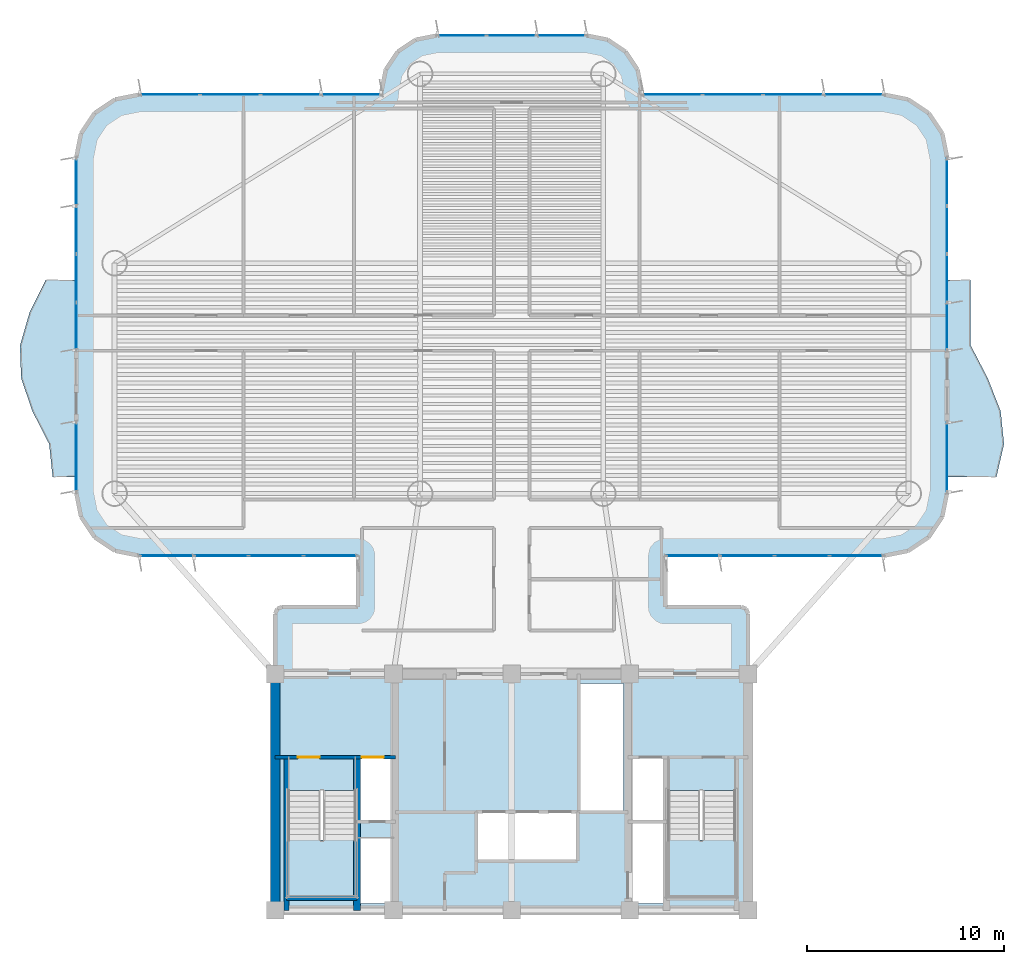
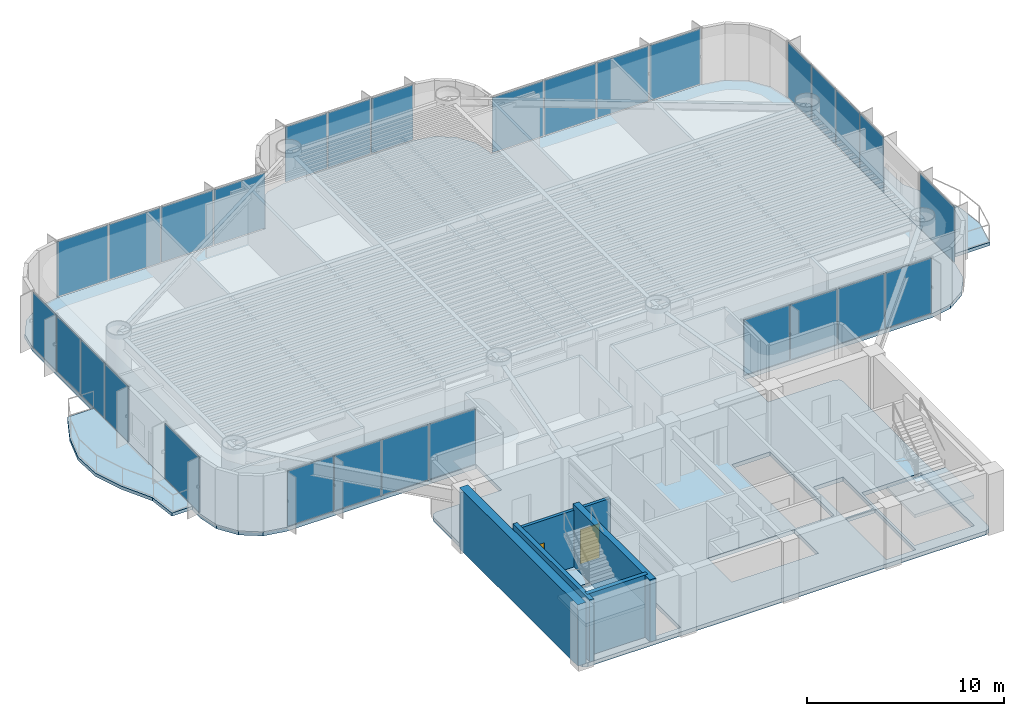
# One storey, part 8 of 16: 29 plates, 5 slabs, 5 walls, 2 doors, 2 openings, 11 elements without a shape of their own.
"""IFC4 building model written with IfcOpenShell, lengths in metres."""

import ifcopenshell
import ifcopenshell.guid

model = None  # the IFC model being written
_history = None  # IfcOwnerHistory: only IFC2X3 demands one
_inside = {}  # id of a spatial element -> (the spatial element, [elements in it])
_under = {}  # id of a project, library or spatial element -> (it, [spatial elements below it])
_declared = {}  # id of a project -> (the project, [libraries it declares])
_typed = {}  # id of a type object -> (the type object, [elements of that type])
_made_of = {}  # id of a material, layer set ... -> (it, [elements and type objects made of it])


def new_model(schema):
    """Start an empty IFC model of exactly this schema.

    Asked for "IFC4X3", IfcOpenShell would pick the latest addendum, in which some entities
    have other attributes; the version numbers below select the first issue.
    IFC2X3 requires an IfcOwnerHistory on every rooted entity: one is made here for all.
    """
    global model, _history
    if schema == "IFC4X3":
        model = ifcopenshell.file(schema_version=(4, 3, 0, 0))
    else:
        model = ifcopenshell.file(schema=schema)
    _inside.clear()
    _under.clear()
    _declared.clear()
    _typed.clear()
    _made_of.clear()
    _history = None
    if model.schema == "IFC2X3":
        org = make("IfcOrganization", Name="unknown")
        user = make(
            "IfcPersonAndOrganization",
            ThePerson=make("IfcPerson", FamilyName="unknown"),
            TheOrganization=org,
        )
        app = make(
            "IfcApplication",
            ApplicationDeveloper=org,
            Version="unknown",
            ApplicationFullName="unknown",
            ApplicationIdentifier="unknown",
        )
        _history = make(
            "IfcOwnerHistory",
            OwningUser=user,
            OwningApplication=app,
            ChangeAction="ADDED",
            CreationDate=0,
        )
    return model


def make(cls, **values):
    """One entity of the class cls with the attributes given. An attribute that is None is left unset."""
    return model.create_entity(
        cls, **{name: value for name, value in values.items() if value is not None}
    )


def rooted(cls, **values):
    """An entity with a GlobalId (a new one), such as an element, a storey or a relation."""
    return make(cls, GlobalId=ifcopenshell.guid.new(), OwnerHistory=_history, **values)


def si_unit(unit_type, name, prefix=None):
    """IfcSIUnit, for example si_unit("LENGTHUNIT", "METRE", prefix="MILLI")."""
    return make("IfcSIUnit", UnitType=unit_type, Prefix=prefix, Name=name)


def assignment(units):
    """IfcUnitAssignment: the units of a project."""
    return None if units is None else make("IfcUnitAssignment", Units=units)


def point(xyz):
    """IfcCartesianPoint."""
    return None if xyz is None else make("IfcCartesianPoint", Coordinates=xyz)


def direction(xyz):
    """IfcDirection."""
    return None if xyz is None else make("IfcDirection", DirectionRatios=xyz)


def frame(location, z_axis=None, x_axis=None):
    """IfcAxis2Placement3D, a coordinate frame: its origin and axes. An axis left out is left unset."""
    return make(
        "IfcAxis2Placement3D",
        Location=point(location),
        Axis=direction(z_axis),
        RefDirection=direction(x_axis),
    )


def frame_2d(location, x_axis=None):
    """IfcAxis2Placement2D, a coordinate frame in the plane: its origin and x axis."""
    return make(
        "IfcAxis2Placement2D", Location=point(location), RefDirection=direction(x_axis)
    )


def origin():
    """The frame at (0, 0, 0) with its axes left unset."""
    return frame((0.0, 0.0, 0.0))


def origin_2d():
    """The frame at (0, 0) in the plane with its x axis left unset."""
    return frame_2d((0.0, 0.0))


def place(relative_to, where):
    """IfcLocalPlacement: puts the frame where relative to a parent placement (None: the world)."""
    return make(
        "IfcLocalPlacement", PlacementRelTo=relative_to, RelativePlacement=where
    )


def context(
    kind, dimensions, precision=None, world=None, true_north=None, identifier=None
):
    """IfcGeometricRepresentationContext, for example the 3D "Model" context."""
    return make(
        "IfcGeometricRepresentationContext",
        ContextIdentifier=identifier,
        ContextType=kind,
        CoordinateSpaceDimension=dimensions,
        Precision=precision,
        WorldCoordinateSystem=world,
        TrueNorth=true_north,
    )


def subcontext(parent, identifier, kind, view, scale=None):
    """IfcGeometricRepresentationSubContext, for example "Body" below "Model"."""
    return make(
        "IfcGeometricRepresentationSubContext",
        ContextIdentifier=identifier,
        ContextType=kind,
        ParentContext=parent,
        TargetScale=scale,
        TargetView=view,
    )


def project(units=None, contexts=None):
    """IfcProject with its units and contexts."""
    return rooted(
        "IfcProject",
        Name="project",
        RepresentationContexts=contexts,
        UnitsInContext=assignment(units),
    )


def spatial(cls, under=None, at=None, **own):
    """A site, building, storey or space (cls), placed at a placement, below another one or the project."""
    s = rooted(cls, ObjectPlacement=at, **own)
    if under is not None:
        _under.setdefault(under.id(), (under, []))[1].append(s)
    return s


def polyline(points):
    """IfcPolyline through the points."""
    return make("IfcPolyline", Points=[point(p) for p in points])


def profile(cls, at=None, kind="AREA", **sizes):
    """A parametric profile (cls). Its sizes go by their IFC names, for example OverallWidth=200.0."""
    return make(cls, ProfileType=kind, Position=at, **sizes)


def rectangle(**sizes):
    """IfcRectangleProfileDef."""
    return profile("IfcRectangleProfileDef", **sizes)


def outline(outer, holes=None, kind="AREA"):
    """IfcArbitraryClosedProfileDef: a profile drawn as a closed curve; with holes, ...WithVoids."""
    if holes is None:
        return make("IfcArbitraryClosedProfileDef", ProfileType=kind, OuterCurve=outer)
    return make(
        "IfcArbitraryProfileDefWithVoids",
        ProfileType=kind,
        OuterCurve=outer,
        InnerCurves=holes,
    )


def extrude(swept, where, along, depth):
    """IfcExtrudedAreaSolid: the profile swept, set in the frame where, extruded along a direction by depth."""
    return make(
        "IfcExtrudedAreaSolid",
        SweptArea=swept,
        Position=where,
        ExtrudedDirection=direction(along),
        Depth=depth,
    )


def shape(context_of_items, identifier, shape_type, items):
    """IfcShapeRepresentation: the items that make up one representation, for example the "Body"."""
    return make(
        "IfcShapeRepresentation",
        ContextOfItems=context_of_items,
        RepresentationIdentifier=identifier,
        RepresentationType=shape_type,
        Items=items,
    )


def source(mapping_origin, context_of_items, identifier, shape_type, items):
    """IfcRepresentationMap: a shape defined once, which mapped items show again and again."""
    return make(
        "IfcRepresentationMap",
        MappingOrigin=mapping_origin,
        MappedRepresentation=shape(context_of_items, identifier, shape_type, items),
    )


def transform(
    local_origin,
    x_axis=None,
    y_axis=None,
    z_axis=None,
    scale=None,
    scale2=None,
    scale3=None,
    uniform=True,
):
    """IfcCartesianTransformationOperator3D, or its non-uniform kind. x_axis, y_axis, z_axis: its Axis1, 2, 3."""
    if uniform:
        return make(
            "IfcCartesianTransformationOperator3D",
            Axis1=direction(x_axis),
            Axis2=direction(y_axis),
            LocalOrigin=point(local_origin),
            Scale=scale,
            Axis3=direction(z_axis),
        )
    return make(
        "IfcCartesianTransformationOperator3DnonUniform",
        Axis1=direction(x_axis),
        Axis2=direction(y_axis),
        LocalOrigin=point(local_origin),
        Scale=scale,
        Axis3=direction(z_axis),
        Scale2=scale2,
        Scale3=scale3,
    )


def mapped(mapping_source, mapping_target):
    """IfcMappedItem: shows the shape of a source again, moved by a transform."""
    return make(
        "IfcMappedItem", MappingSource=mapping_source, MappingTarget=mapping_target
    )


def material(Name=None, Category=None):
    """IfcMaterial."""
    return make("IfcMaterial", Name=Name, Category=Category)


def layer(
    of_material, thickness, ventilated=None, Name=None, Category=None, Priority=None
):
    """IfcMaterialLayer: one layer of a wall or slab, of a material (None: an air gap)."""
    return make(
        "IfcMaterialLayer",
        Material=of_material,
        LayerThickness=thickness,
        IsVentilated=ventilated,
        Name=Name,
        Category=Category,
        Priority=Priority,
    )


def layer_set(layers, Name=None):
    """IfcMaterialLayerSet."""
    return make("IfcMaterialLayerSet", MaterialLayers=layers, LayerSetName=Name)


def made_of(thing, what):
    """Note that an element or type object is made of a material, layer set ...; save() writes the relation."""
    if what is not None:
        _made_of.setdefault(what.id(), (what, []))[1].append(thing)
    return thing


def type_object(cls, material=None, **own):
    """A type object (cls), such as IfcWallType, which elements share."""
    return made_of(rooted(cls, **own), material)


def element(
    cls,
    number,
    at=None,
    inside=None,
    cuts=None,
    type_object=None,
    material=None,
    context=None,
    identifier="Body",
    shape_type=None,
    held_by="IfcProductDefinitionShape",
    body=None,
    shapes=None,
    **own,
):
    """One element of the class cls, such as IfcWall. Its Tag is "e" and its number.

    at: its placement. inside: the storey or other place that contains it. cuts: it is an
    opening in that element (IfcRelVoidsElement). A single representation is given by context,
    identifier, shape_type and body (its items); several are given by shapes. held_by: the class
    of the entity that holds the representations. save() writes the other relations.
    """
    e = rooted(cls, Tag="e%d" % number, ObjectPlacement=at, **own)
    if body is not None:
        shapes = [shape(context, identifier, shape_type, body)]
    if shapes is not None:
        e.Representation = make(held_by, Representations=shapes)
    if inside is not None:
        _inside.setdefault(inside.id(), (inside, []))[1].append(e)
    if cuts is not None:
        rooted(
            "IfcRelVoidsElement", RelatingBuildingElement=cuts, RelatedOpeningElement=e
        )
    if type_object is not None:
        _typed.setdefault(type_object.id(), (type_object, []))[1].append(e)
    return made_of(e, material)


def fill(opening, filler):
    """IfcRelFillsElement: the door or window that sits in an opening."""
    return rooted(
        "IfcRelFillsElement",
        RelatingOpeningElement=opening,
        RelatedBuildingElement=filler,
    )


def aggregate(whole, parts):
    """IfcRelAggregates: a whole, such as a stair, and the parts it consists of."""
    return rooted("IfcRelAggregates", RelatingObject=whole, RelatedObjects=parts)


def save(model, path):
    """Write the relations noted so far, then the file.

    IfcRelAggregates (storeys below a building ...), IfcRelContainedInSpatialStructure (elements
    in a storey), IfcRelDefinesByType, IfcRelAssociatesMaterial and IfcRelDeclares: one each for
    every whole, place, type object, material and project.
    """
    for whole, parts in _under.values():
        aggregate(whole, parts)
    for where, things in _inside.values():
        rooted(
            "IfcRelContainedInSpatialStructure",
            RelatedElements=things,
            RelatingStructure=where,
        )
    for kind, things in _typed.values():
        rooted("IfcRelDefinesByType", RelatedObjects=things, RelatingType=kind)
    for what, things in _made_of.values():
        rooted("IfcRelAssociatesMaterial", RelatedObjects=things, RelatingMaterial=what)
    for by, libraries in _declared.values():
        rooted("IfcRelDeclares", RelatingContext=by, RelatedDefinitions=libraries)
    model.write(path)


model = new_model("IFC4")

# Units and contexts
model_context = context("Model", 3, precision=1e-05, world=origin(), true_north=direction((0.0, 1.0)))
body_context = subcontext(model_context, "Body", "Model", "MODEL_VIEW")
ifc_project = project(units=[si_unit("LENGTHUNIT", "METRE"), si_unit("AREAUNIT", "SQUARE_METRE"), si_unit("VOLUMEUNIT", "CUBIC_METRE"), si_unit("PLANEANGLEUNIT", "RADIAN"), si_unit("MASSUNIT", "GRAM", prefix="KILO")], contexts=[model_context])

# Site, building, storey
site_placement = place(None, origin())
site = spatial("IfcSite", under=ifc_project, at=site_placement, CompositionType="ELEMENT")
building_placement = place(site_placement, origin())
building = spatial("IfcBuilding", under=site, at=building_placement, Name="Brelvock Crest Care Tower", CompositionType="ELEMENT")
storey_placement = place(building_placement, frame((0.0, 0.0, 123.840087890625)))
storey = spatial("IfcBuildingStorey", under=building, at=storey_placement, Name="L31", CompositionType="ELEMENT", Elevation=123.840087890625)

# Slabs
ifc_material_1 = material(Name="Concrete N50 (50 MPa)", Category="concrete")
ifc_layer_1 = layer(ifc_material_1, 0.22998046875, Name="SLB-FL4")
ifc_layer_set_1 = layer_set([ifc_layer_1], Name="Concrete N50 (50 MPa)")
slab_type_1 = type_object("IfcSlabType", Name="SLB-FL4", PredefinedType="FLOOR", material=ifc_layer_set_1)
slab_1_placement = place(storey_placement, frame((0.0, 0.0, -0.25)))
element("IfcSlab", 1, at=slab_1_placement, inside=storey, type_object=slab_type_1, Name="L31 Main Structural Slab", PredefinedType="FLOOR", context=body_context, shape_type="SweptSolid", body=[
    extrude(outline(polyline([(47.64990234375, 21.39990234375), (43.800048828125, 21.39990234375), (43.800048828125, 24.0), (54.89990234375, 24.0), (56.12451171875, 24.24365234375), (57.16259765625, 24.937255859375), (57.8564453125, 25.975341796875), (58.10009765625, 27.199951171875), (58.10009765625, 44.199951171875), (57.8564453125, 45.424560546875), (57.16259765625, 46.462646484375), (56.12451171875, 47.156494140625), (54.89990234375, 47.39990234375), (42.60009765625, 47.39990234375), (42.60009765625, 47.60009765625), (42.386962890625, 48.67138671875), (41.77978515625, 49.579833984375), (40.87158203125, 50.18701171875), (39.800048828125, 50.39990234375), (32.199951171875, 50.39990234375), (31.12841796875, 50.18701171875), (30.22021484375, 49.579833984375), (29.613037109375, 48.67138671875), (29.39990234375, 47.60009765625), (29.39990234375, 47.39990234375), (17.10009765625, 47.39990234375), (15.87548828125, 47.156494140625), (14.83740234375, 46.462646484375), (14.1435546875, 45.424560546875), (13.89990234375, 44.199951171875), (13.89990234375, 27.199951171875), (14.1435546875, 25.975341796875), (14.83740234375, 24.937255859375), (15.87548828125, 24.24365234375), (17.10009765625, 24.0), (28.199951171875, 24.0), (28.199951171875, 21.39990234375), (24.35009765625, 21.39990234375), (24.1025390625, 21.297607421875), (24.0, 21.050048828125), (24.0, 6.35009765625), (24.1025390625, 6.1025390625), (24.35009765625, 6.0), (47.64990234375, 6.0), (47.8974609375, 6.1025390625), (48.0, 6.35009765625), (48.0, 21.050048828125), (47.8974609375, 21.297607421875), (47.64990234375, 21.39990234375)]), holes=[polyline([(28.239990234375, 10.580078125), (29.97998046875, 10.580078125), (29.97998046875, 13.739990234375), (28.239990234375, 13.739990234375), (28.239990234375, 10.580078125)]), polyline([(42.02001953125, 10.580078125), (43.760009765625, 10.580078125), (43.760009765625, 13.739990234375), (42.02001953125, 13.739990234375), (42.02001953125, 10.580078125)]), polyline([(28.239990234375, 6.340087890625), (29.97998046875, 6.340087890625), (29.97998046875, 9.64990234375), (28.239990234375, 9.64990234375), (28.239990234375, 6.340087890625)]), polyline([(24.6298828125, 12.080078125), (24.6298828125, 6.699951171875), (28.110107421875, 6.699951171875), (28.110107421875, 12.080078125), (24.6298828125, 12.080078125)]), polyline([(43.889892578125, 12.080078125), (43.889892578125, 6.699951171875), (47.3701171875, 6.699951171875), (47.3701171875, 12.080078125), (43.889892578125, 12.080078125)]), polyline([(42.02001953125, 6.340087890625), (43.760009765625, 6.340087890625), (43.760009765625, 10.5), (42.02001953125, 10.5), (42.02001953125, 6.340087890625)]), polyline([(34.22998046875, 8.530029296875), (39.320068359375, 8.530029296875), (39.320068359375, 10.969970703125), (34.22998046875, 10.969970703125), (34.22998046875, 8.530029296875)]), polyline([(39.429931640625, 11.030029296875), (41.669921875, 11.030029296875), (41.669921875, 17.52001953125), (39.429931640625, 17.52001953125), (39.429931640625, 11.030029296875)])]), origin(), (0.0, 0.0, 1.0), 0.25),
])
ifc_layer_2 = layer(ifc_material_1, 0.199951171875, Name="SLB-WB2")
ifc_layer_set_2 = layer_set([ifc_layer_2], Name="Concrete N50 (50 MPa)")
slab_type_2 = type_object("IfcSlabType", Name="SLB-WB2", PredefinedType="FLOOR", material=ifc_layer_set_2)
slab_2_placement = place(storey_placement, frame((0.0, 0.0, -0.2001953125)))
element("IfcSlab", 2, at=slab_2_placement, inside=storey, type_object=slab_type_2, Name="L31 W Sinusoidal Wave Balcony Slab", PredefinedType="FLOOR", context=body_context, shape_type="SweptSolid", body=[
    extrude(outline(polyline([(13.89990234375, 38.0), (12.35009765625, 38.0), (11.5283203125, 36.333251953125), (11.0458984375, 34.666748046875), (11.102783203125, 33.0), (11.675048828125, 31.333251953125), (12.526123046875, 29.666748046875), (12.699951171875, 28.0), (13.89990234375, 28.0), (13.89990234375, 38.0)])), origin(), (0.0, 0.0, 1.0), 0.2001953125),
])
slab_3_placement = place(storey_placement, frame((0.0, 0.0, -0.2001953125)))
element("IfcSlab", 3, at=slab_3_placement, inside=storey, type_object=slab_type_2, Name="L31 E Sinusoidal Wave Balcony Slab", PredefinedType="FLOOR", context=body_context, shape_type="SweptSolid", body=[
    extrude(outline(polyline([(58.10009765625, 28.0), (60.6044921875, 28.0), (60.988525390625, 29.666748046875), (60.819091796875, 31.333251953125), (60.16650390625, 33.0), (59.300537109375, 34.666748046875), (59.300048828125, 36.333251953125), (59.300048828125, 38.0), (58.10009765625, 38.0), (58.10009765625, 28.0)])), origin(), (0.0, 0.0, 1.0), 0.2001953125),
])

# Stair, slab
ifc_material_2 = material(Name="Concrete N40 (40 MPa)", Category="concrete")
stair_type = type_object("IfcStairType", Name="ST-CORE1", PredefinedType="HALF_TURN_STAIR", material=ifc_material_2)
stair_1_placement = place(storey_placement, origin())
stair_1 = element("IfcStair", 4, at=stair_1_placement, inside=storey, type_object=stair_type, Name="L31 Fire-Isolated Core Stair ST-1", PredefinedType="HALF_TURN_STAIR")
ifc_layer_3 = layer(ifc_material_2, 0.199951171875, Name="STL-1")
ifc_layer_set_3 = layer_set([ifc_layer_3], Name="Concrete N40 (40 MPa)")
slab_type_3 = type_object("IfcSlabType", Name="STL-1", PredefinedType="LANDING", material=ifc_layer_set_3)
slab_4_placement = place(storey_placement, frame((0.0, 0.0, 1.68994140625)))
slab_4 = element("IfcSlab", 5, at=slab_4_placement, type_object=slab_type_3, Name="ST-1 landing 1", PredefinedType="LANDING", context=body_context, shape_type="SweptSolid", body=[
    extrude(outline(polyline([(24.6298828125, 9.56005859375), (24.6298828125, 6.699951171875), (28.110107421875, 6.699951171875), (28.110107421875, 9.56005859375), (24.6298828125, 9.56005859375)])), origin(), (0.0, 0.0, 1.0), 0.199951171875),
])
aggregate(stair_1, [slab_4])

stair_2_placement = place(storey_placement, origin())
stair_2 = element("IfcStair", 6, at=stair_2_placement, inside=storey, type_object=stair_type, Name="L31 Fire-Isolated Core Stair ST-2", PredefinedType="HALF_TURN_STAIR")
slab_5_placement = place(storey_placement, frame((0.0, 0.0, 1.68994140625)))
slab_5 = element("IfcSlab", 7, at=slab_5_placement, type_object=slab_type_3, Name="ST-2 landing 1", PredefinedType="LANDING", context=body_context, shape_type="SweptSolid", body=[
    extrude(outline(polyline([(43.889892578125, 9.56005859375), (43.889892578125, 6.699951171875), (47.3701171875, 6.699951171875), (47.3701171875, 9.56005859375), (43.889892578125, 9.56005859375)])), origin(), (0.0, 0.0, 1.0), 0.199951171875),
])
aggregate(stair_2, [slab_5])

# Curtain wall, plates
ifc_material_3 = material(Name="Dark Glass Double Glazed Low-E", Category="glass")
ifc_layer_4 = layer(ifc_material_3, 0.2099609375, Name="CWS-3")
ifc_layer_set_4 = layer_set([ifc_layer_4], Name="Dark Glass Double Glazed Low-E")
curtain_wall_type = type_object("IfcCurtainWallType", Name="CWS-3", PredefinedType="NOTDEFINED", material=ifc_layer_set_4)
curtain_wall_1_placement = place(storey_placement, origin())
curtain_wall_1 = element("IfcCurtainWall", 8, at=curtain_wall_1_placement, inside=storey, type_object=curtain_wall_type, Name="L31 Curtain Wall E12", PredefinedType="NOTDEFINED")
ifc_layer_5 = layer(ifc_material_3, 0.031982421875, Name="CWP-V1")
ifc_layer_set_5 = layer_set([ifc_layer_5], Name="Dark Glass Double Glazed Low-E")
plate_type = type_object("IfcPlateType", Name="CWP-V1", PredefinedType="CURTAIN_PANEL", material=ifc_layer_set_5)
shared_shape_1 = source(origin(), body_context, "Body", "SweptSolid", [
    extrude(rectangle(XDim=2.68505859375, YDim=0.035888671875, at=origin_2d()), origin(), (0.0, 0.0, 1.0), 3.409912109375),
])
plate_1_placement = place(storey_placement, frame((26.797607421875, 24.0, 0.06005859375), z_axis=(0.0, 0.0, 1.0), x_axis=(-1.0, 0.0, 0.0)))
plate_1 = element("IfcPlate", 9, at=plate_1_placement, type_object=plate_type, Name="CW-3 panel 1.1", PredefinedType="CURTAIN_PANEL", context=body_context, shape_type="MappedRepresentation", body=[
    mapped(shared_shape_1, transform((0.0, 0.0, 0.0), x_axis=(1.0, 0.0, 0.0), y_axis=(0.0, 1.0, 0.0), z_axis=(0.0, 0.0, 1.0), scale=1.0)),
])
plate_2_placement = place(storey_placement, frame((18.50244140625, 24.0, 0.06005859375), z_axis=(0.0, 0.0, 1.0), x_axis=(-1.0, 0.0, 0.0)))
plate_2 = element("IfcPlate", 10, at=plate_2_placement, type_object=plate_type, Name="CW-3 panel 4.1", PredefinedType="CURTAIN_PANEL", context=body_context, shape_type="MappedRepresentation", body=[
    mapped(shared_shape_1, transform((0.0, 0.0, 0.0), x_axis=(1.0, 0.0, 0.0), y_axis=(0.0, 1.0, 0.0), z_axis=(0.0, 0.0, 1.0), scale=1.0)),
])

curtain_wall_2_placement = place(storey_placement, origin())
curtain_wall_2 = element("IfcCurtainWall", 11, at=curtain_wall_2_placement, inside=storey, type_object=curtain_wall_type, Name="L31 Curtain Wall E44", PredefinedType="NOTDEFINED")
plate_3_placement = place(storey_placement, frame((53.49755859375, 24.0, 0.06005859375), z_axis=(0.0, 0.0, 1.0), x_axis=(-1.0, 0.0, 0.0)))
plate_3 = element("IfcPlate", 12, at=plate_3_placement, type_object=plate_type, Name="CW-3 panel 1.1", PredefinedType="CURTAIN_PANEL", context=body_context, shape_type="MappedRepresentation", body=[
    mapped(shared_shape_1, transform((0.0, 0.0, 0.0), x_axis=(1.0, 0.0, 0.0), y_axis=(0.0, 1.0, 0.0), z_axis=(0.0, 0.0, 1.0), scale=1.0)),
])
plate_4_placement = place(storey_placement, frame((45.202392578125, 24.0, 0.06005859375), z_axis=(0.0, 0.0, 1.0), x_axis=(-1.0, 0.0, 0.0)))
plate_4 = element("IfcPlate", 13, at=plate_4_placement, type_object=plate_type, Name="CW-3 panel 4.1", PredefinedType="CURTAIN_PANEL", context=body_context, shape_type="MappedRepresentation", body=[
    mapped(shared_shape_1, transform((0.0, 0.0, 0.0), x_axis=(1.0, 0.0, 0.0), y_axis=(0.0, 1.0, 0.0), z_axis=(0.0, 0.0, 1.0), scale=1.0)),
])

# Plate
shared_shape_2 = source(origin(), body_context, "Body", "SweptSolid", [
    extrude(rectangle(XDim=2.715087890625, YDim=0.035888671875, at=origin_2d()), origin(), (0.0, 0.0, 1.0), 3.409912109375),
])
plate_5_placement = place(storey_placement, frame((24.03759765625, 24.0, 0.06005859375), z_axis=(0.0, 0.0, 1.0), x_axis=(-1.0, 0.0, 0.0)))
plate_5 = element("IfcPlate", 14, at=plate_5_placement, type_object=plate_type, Name="CW-3 panel 2.1", PredefinedType="CURTAIN_PANEL", context=body_context, shape_type="MappedRepresentation", body=[
    mapped(shared_shape_2, transform((0.0, 0.0, 0.0), x_axis=(1.0, 0.0, 0.0), y_axis=(0.0, 1.0, 0.0), z_axis=(0.0, 0.0, 1.0), scale=1.0)),
])

plate_6_placement = place(storey_placement, frame((21.262451171875, 24.0, 0.06005859375), z_axis=(0.0, 0.0, 1.0), x_axis=(-1.0, 0.0, 0.0)))
plate_6 = element("IfcPlate", 15, at=plate_6_placement, type_object=plate_type, Name="CW-3 panel 3.1", PredefinedType="CURTAIN_PANEL", context=body_context, shape_type="MappedRepresentation", body=[
    mapped(shared_shape_2, transform((0.0, 0.0, 0.0), x_axis=(1.0, 0.0, 0.0), y_axis=(0.0, 1.0, 0.0), z_axis=(0.0, 0.0, 1.0), scale=1.0)),
])

aggregate(curtain_wall_1, [plate_1, plate_5, plate_6, plate_2])

plate_7_placement = place(storey_placement, frame((50.737548828125, 24.0, 0.06005859375), z_axis=(0.0, 0.0, 1.0), x_axis=(-1.0, 0.0, 0.0)))
plate_7 = element("IfcPlate", 16, at=plate_7_placement, type_object=plate_type, Name="CW-3 panel 2.1", PredefinedType="CURTAIN_PANEL", context=body_context, shape_type="MappedRepresentation", body=[
    mapped(shared_shape_2, transform((0.0, 0.0, 0.0), x_axis=(1.0, 0.0, 0.0), y_axis=(0.0, 1.0, 0.0), z_axis=(0.0, 0.0, 1.0), scale=1.0)),
])

plate_8_placement = place(storey_placement, frame((47.96240234375, 24.0, 0.06005859375), z_axis=(0.0, 0.0, 1.0), x_axis=(-1.0, 0.0, 0.0)))
plate_8 = element("IfcPlate", 17, at=plate_8_placement, type_object=plate_type, Name="CW-3 panel 3.1", PredefinedType="CURTAIN_PANEL", context=body_context, shape_type="MappedRepresentation", body=[
    mapped(shared_shape_2, transform((0.0, 0.0, 0.0), x_axis=(1.0, 0.0, 0.0), y_axis=(0.0, 1.0, 0.0), z_axis=(0.0, 0.0, 1.0), scale=1.0)),
])

aggregate(curtain_wall_2, [plate_3, plate_7, plate_8, plate_4])

# Curtain wall, plates
curtain_wall_3_placement = place(storey_placement, origin())
curtain_wall_3 = element("IfcCurtainWall", 18, at=curtain_wall_3_placement, inside=storey, type_object=curtain_wall_type, Name="L31 Curtain Wall E22", PredefinedType="NOTDEFINED")
shared_shape_3 = source(origin(), body_context, "Body", "SweptSolid", [
    extrude(rectangle(XDim=2.985107421875, YDim=0.035888671875, at=origin_2d()), origin(), (0.0, 0.0, 1.0), 3.409912109375),
])
plate_9_placement = place(storey_placement, frame((18.652587890625, 47.39990234375, 0.06005859375), z_axis=(0.0, 0.0, 1.0), x_axis=(1.0, 0.0, 0.0)))
plate_9 = element("IfcPlate", 19, at=plate_9_placement, type_object=plate_type, Name="CW-3 panel 1.1", PredefinedType="CURTAIN_PANEL", context=body_context, shape_type="MappedRepresentation", body=[
    mapped(shared_shape_3, transform((0.0, 0.0, 0.0), x_axis=(1.0, 0.0, 0.0), y_axis=(0.0, 1.0, 0.0), z_axis=(0.0, 0.0, 1.0), scale=1.0)),
])
plate_10_placement = place(storey_placement, frame((27.847412109375, 47.39990234375, 0.06005859375), z_axis=(0.0, 0.0, 1.0), x_axis=(1.0, 0.0, 0.0)))
plate_10 = element("IfcPlate", 20, at=plate_10_placement, type_object=plate_type, Name="CW-3 panel 4.1", PredefinedType="CURTAIN_PANEL", context=body_context, shape_type="MappedRepresentation", body=[
    mapped(shared_shape_3, transform((0.0, 0.0, 0.0), x_axis=(1.0, 0.0, 0.0), y_axis=(0.0, 1.0, 0.0), z_axis=(0.0, 0.0, 1.0), scale=1.0)),
])

curtain_wall_4_placement = place(storey_placement, origin())
curtain_wall_4 = element("IfcCurtainWall", 21, at=curtain_wall_4_placement, inside=storey, type_object=curtain_wall_type, Name="L31 Curtain Wall E34", PredefinedType="NOTDEFINED")
plate_11_placement = place(storey_placement, frame((44.152587890625, 47.39990234375, 0.06005859375), z_axis=(0.0, 0.0, 1.0), x_axis=(1.0, 0.0, 0.0)))
plate_11 = element("IfcPlate", 22, at=plate_11_placement, type_object=plate_type, Name="CW-3 panel 1.1", PredefinedType="CURTAIN_PANEL", context=body_context, shape_type="MappedRepresentation", body=[
    mapped(shared_shape_3, transform((0.0, 0.0, 0.0), x_axis=(1.0, 0.0, 0.0), y_axis=(0.0, 1.0, 0.0), z_axis=(0.0, 0.0, 1.0), scale=1.0)),
])
plate_12_placement = place(storey_placement, frame((53.347412109375, 47.39990234375, 0.06005859375), z_axis=(0.0, 0.0, 1.0), x_axis=(1.0, 0.0, 0.0)))
plate_12 = element("IfcPlate", 23, at=plate_12_placement, type_object=plate_type, Name="CW-3 panel 4.1", PredefinedType="CURTAIN_PANEL", context=body_context, shape_type="MappedRepresentation", body=[
    mapped(shared_shape_3, transform((0.0, 0.0, 0.0), x_axis=(1.0, 0.0, 0.0), y_axis=(0.0, 1.0, 0.0), z_axis=(0.0, 0.0, 1.0), scale=1.0)),
])

# Plate
shared_shape_4 = source(origin(), body_context, "Body", "SweptSolid", [
    extrude(rectangle(XDim=3.014892578125, YDim=0.035888671875, at=origin_2d()), origin(), (0.0, 0.0, 1.0), 3.409912109375),
])
plate_13_placement = place(storey_placement, frame((21.71240234375, 47.39990234375, 0.06005859375), z_axis=(0.0, 0.0, 1.0), x_axis=(1.0, 0.0, 0.0)))
plate_13 = element("IfcPlate", 24, at=plate_13_placement, type_object=plate_type, Name="CW-3 panel 2.1", PredefinedType="CURTAIN_PANEL", context=body_context, shape_type="MappedRepresentation", body=[
    mapped(shared_shape_4, transform((0.0, 0.0, 0.0), x_axis=(1.0, 0.0, 0.0), y_axis=(0.0, 1.0, 0.0), z_axis=(0.0, 0.0, 1.0), scale=1.0)),
])

plate_14_placement = place(storey_placement, frame((24.78759765625, 47.39990234375, 0.06005859375), z_axis=(0.0, 0.0, 1.0), x_axis=(1.0, 0.0, 0.0)))
plate_14 = element("IfcPlate", 25, at=plate_14_placement, type_object=plate_type, Name="CW-3 panel 3.1", PredefinedType="CURTAIN_PANEL", context=body_context, shape_type="MappedRepresentation", body=[
    mapped(shared_shape_4, transform((0.0, 0.0, 0.0), x_axis=(1.0, 0.0, 0.0), y_axis=(0.0, 1.0, 0.0), z_axis=(0.0, 0.0, 1.0), scale=1.0)),
])

aggregate(curtain_wall_3, [plate_9, plate_13, plate_14, plate_10])

plate_15_placement = place(storey_placement, frame((47.21240234375, 47.39990234375, 0.06005859375), z_axis=(0.0, 0.0, 1.0), x_axis=(1.0, 0.0, 0.0)))
plate_15 = element("IfcPlate", 26, at=plate_15_placement, type_object=plate_type, Name="CW-3 panel 2.1", PredefinedType="CURTAIN_PANEL", context=body_context, shape_type="MappedRepresentation", body=[
    mapped(shared_shape_4, transform((0.0, 0.0, 0.0), x_axis=(1.0, 0.0, 0.0), y_axis=(0.0, 1.0, 0.0), z_axis=(0.0, 0.0, 1.0), scale=1.0)),
])

plate_16_placement = place(storey_placement, frame((50.28759765625, 47.39990234375, 0.06005859375), z_axis=(0.0, 0.0, 1.0), x_axis=(1.0, 0.0, 0.0)))
plate_16 = element("IfcPlate", 27, at=plate_16_placement, type_object=plate_type, Name="CW-3 panel 3.1", PredefinedType="CURTAIN_PANEL", context=body_context, shape_type="MappedRepresentation", body=[
    mapped(shared_shape_4, transform((0.0, 0.0, 0.0), x_axis=(1.0, 0.0, 0.0), y_axis=(0.0, 1.0, 0.0), z_axis=(0.0, 0.0, 1.0), scale=1.0)),
])

aggregate(curtain_wall_4, [plate_11, plate_15, plate_16, plate_12])

# Curtain wall, plates
curtain_wall_5_placement = place(storey_placement, origin())
curtain_wall_5 = element("IfcCurtainWall", 28, at=curtain_wall_5_placement, inside=storey, type_object=curtain_wall_type, Name="L31 Curtain Wall E28", PredefinedType="NOTDEFINED")
shared_shape_5 = source(origin(), body_context, "Body", "SweptSolid", [
    extrude(rectangle(XDim=2.443359375, YDim=0.035888671875, at=origin_2d()), origin(), (0.0, 0.0, 1.0), 3.409912109375),
])
plate_17_placement = place(storey_placement, frame((33.481689453125, 50.39990234375, 0.06005859375), z_axis=(0.0, 0.0, 1.0), x_axis=(1.0, 0.0, 0.0)))
plate_17 = element("IfcPlate", 29, at=plate_17_placement, type_object=plate_type, Name="CW-3 panel 1.1", PredefinedType="CURTAIN_PANEL", context=body_context, shape_type="MappedRepresentation", body=[
    mapped(shared_shape_5, transform((0.0, 0.0, 0.0), x_axis=(1.0, 0.0, 0.0), y_axis=(0.0, 1.0, 0.0), z_axis=(0.0, 0.0, 1.0), scale=1.0)),
])
plate_18_placement = place(storey_placement, frame((38.518310546875, 50.39990234375, 0.06005859375), z_axis=(0.0, 0.0, 1.0), x_axis=(1.0, 0.0, 0.0)))
plate_18 = element("IfcPlate", 30, at=plate_18_placement, type_object=plate_type, Name="CW-3 panel 3.1", PredefinedType="CURTAIN_PANEL", context=body_context, shape_type="MappedRepresentation", body=[
    mapped(shared_shape_5, transform((0.0, 0.0, 0.0), x_axis=(1.0, 0.0, 0.0), y_axis=(0.0, 1.0, 0.0), z_axis=(0.0, 0.0, 1.0), scale=1.0)),
])
shared_shape_6 = source(origin(), body_context, "Body", "SweptSolid", [
    extrude(rectangle(XDim=2.473388671875, YDim=0.035888671875, at=origin_2d()), origin(), (0.0, 0.0, 1.0), 3.409912109375),
])
plate_19_placement = place(storey_placement, frame((36.0, 50.39990234375, 0.06005859375), z_axis=(0.0, 0.0, 1.0), x_axis=(1.0, 0.0, 0.0)))
plate_19 = element("IfcPlate", 31, at=plate_19_placement, type_object=plate_type, Name="CW-3 panel 2.1", PredefinedType="CURTAIN_PANEL", context=body_context, shape_type="MappedRepresentation", body=[
    mapped(shared_shape_6, transform((0.0, 0.0, 0.0), x_axis=(1.0, 0.0, 0.0), y_axis=(0.0, 1.0, 0.0), z_axis=(0.0, 0.0, 1.0), scale=1.0)),
])
aggregate(curtain_wall_5, [plate_17, plate_19, plate_18])

# Curtain wall, plate
curtain_wall_6_placement = place(storey_placement, origin())
curtain_wall_6 = element("IfcCurtainWall", 32, at=curtain_wall_6_placement, inside=storey, type_object=curtain_wall_type, Name="L31 Curtain Wall E17A", PredefinedType="NOTDEFINED")
shared_shape_7 = source(origin(), body_context, "Body", "SweptSolid", [
    extrude(rectangle(XDim=3.47998046875, YDim=0.035888671875, at=origin_2d()), origin(), (0.0, 0.0, 1.0), 3.409912109375),
])
plate_20_placement = place(storey_placement, frame((13.89990234375, 29.0, 0.06005859375), z_axis=(0.0, 0.0, 1.0), x_axis=(0.0, 1.0, 0.0)))
plate_20 = element("IfcPlate", 33, at=plate_20_placement, type_object=plate_type, Name="CW-3 panel 1.1", PredefinedType="CURTAIN_PANEL", context=body_context, shape_type="MappedRepresentation", body=[
    mapped(shared_shape_7, transform((0.0, 0.0, 0.0), x_axis=(1.0, 0.0, 0.0), y_axis=(0.0, 1.0, 0.0), z_axis=(0.0, 0.0, 1.0), scale=1.0)),
])
aggregate(curtain_wall_6, [plate_20])

curtain_wall_7_placement = place(storey_placement, origin())
curtain_wall_7 = element("IfcCurtainWall", 34, at=curtain_wall_7_placement, inside=storey, type_object=curtain_wall_type, Name="L31 Curtain Wall E39B", PredefinedType="NOTDEFINED")
plate_21_placement = place(storey_placement, frame((58.10009765625, 29.0, 0.06005859375), z_axis=(0.0, 0.0, 1.0), x_axis=(0.0, -1.0, 0.0)))
plate_21 = element("IfcPlate", 35, at=plate_21_placement, type_object=plate_type, Name="CW-3 panel 1.1", PredefinedType="CURTAIN_PANEL", context=body_context, shape_type="MappedRepresentation", body=[
    mapped(shared_shape_7, transform((0.0, 0.0, 0.0), x_axis=(1.0, 0.0, 0.0), y_axis=(0.0, 1.0, 0.0), z_axis=(0.0, 0.0, 1.0), scale=1.0)),
])
aggregate(curtain_wall_7, [plate_21])

# Curtain wall, plates
curtain_wall_8_placement = place(storey_placement, origin())
curtain_wall_8 = element("IfcCurtainWall", 36, at=curtain_wall_8_placement, inside=storey, type_object=curtain_wall_type, Name="L31 Curtain Wall E17B", PredefinedType="NOTDEFINED")
shared_shape_8 = source(origin(), body_context, "Body", "SweptSolid", [
    extrude(rectangle(XDim=2.360107421875, YDim=0.035888671875, at=origin_2d()), origin(), (0.0, 0.0, 1.0), 3.409912109375),
])
plate_22_placement = place(storey_placement, frame((13.89990234375, 35.639892578125, 0.06005859375), z_axis=(0.0, 0.0, 1.0), x_axis=(0.0, 1.0, 0.0)))
plate_22 = element("IfcPlate", 37, at=plate_22_placement, type_object=plate_type, Name="CW-3 panel 1.1", PredefinedType="CURTAIN_PANEL", context=body_context, shape_type="MappedRepresentation", body=[
    mapped(shared_shape_8, transform((0.0, 0.0, 0.0), x_axis=(1.0, 0.0, 0.0), y_axis=(0.0, 1.0, 0.0), z_axis=(0.0, 0.0, 1.0), scale=1.0)),
])
plate_23_placement = place(storey_placement, frame((13.89990234375, 42.9599609375, 0.06005859375), z_axis=(0.0, 0.0, 1.0), x_axis=(0.0, 1.0, 0.0)))
plate_23 = element("IfcPlate", 38, at=plate_23_placement, type_object=plate_type, Name="CW-3 panel 4.1", PredefinedType="CURTAIN_PANEL", context=body_context, shape_type="MappedRepresentation", body=[
    mapped(shared_shape_8, transform((0.0, 0.0, 0.0), x_axis=(1.0, 0.0, 0.0), y_axis=(0.0, 1.0, 0.0), z_axis=(0.0, 0.0, 1.0), scale=1.0)),
])

curtain_wall_9_placement = place(storey_placement, origin())
curtain_wall_9 = element("IfcCurtainWall", 39, at=curtain_wall_9_placement, inside=storey, type_object=curtain_wall_type, Name="L31 Curtain Wall E39A", PredefinedType="NOTDEFINED")
plate_24_placement = place(storey_placement, frame((58.10009765625, 42.9599609375, 0.06005859375), z_axis=(0.0, 0.0, 1.0), x_axis=(0.0, -1.0, 0.0)))
plate_24 = element("IfcPlate", 40, at=plate_24_placement, type_object=plate_type, Name="CW-3 panel 1.1", PredefinedType="CURTAIN_PANEL", context=body_context, shape_type="MappedRepresentation", body=[
    mapped(shared_shape_8, transform((0.0, 0.0, 0.0), x_axis=(1.0, 0.0, 0.0), y_axis=(0.0, 1.0, 0.0), z_axis=(0.0, 0.0, 1.0), scale=1.0)),
])
plate_25_placement = place(storey_placement, frame((58.10009765625, 35.639892578125, 0.06005859375), z_axis=(0.0, 0.0, 1.0), x_axis=(0.0, -1.0, 0.0)))
plate_25 = element("IfcPlate", 41, at=plate_25_placement, type_object=plate_type, Name="CW-3 panel 4.1", PredefinedType="CURTAIN_PANEL", context=body_context, shape_type="MappedRepresentation", body=[
    mapped(shared_shape_8, transform((0.0, 0.0, 0.0), x_axis=(1.0, 0.0, 0.0), y_axis=(0.0, 1.0, 0.0), z_axis=(0.0, 0.0, 1.0), scale=1.0)),
])

# Plate
shared_shape_9 = source(origin(), body_context, "Body", "SweptSolid", [
    extrude(rectangle(XDim=2.389892578125, YDim=0.035888671875, at=origin_2d()), origin(), (0.0, 0.0, 1.0), 3.409912109375),
])
plate_26_placement = place(storey_placement, frame((13.89990234375, 38.074951171875, 0.06005859375), z_axis=(0.0, 0.0, 1.0), x_axis=(0.0, 1.0, 0.0)))
plate_26 = element("IfcPlate", 42, at=plate_26_placement, type_object=plate_type, Name="CW-3 panel 2.1", PredefinedType="CURTAIN_PANEL", context=body_context, shape_type="MappedRepresentation", body=[
    mapped(shared_shape_9, transform((0.0, 0.0, 0.0), x_axis=(1.0, 0.0, 0.0), y_axis=(0.0, 1.0, 0.0), z_axis=(0.0, 0.0, 1.0), scale=1.0)),
])

plate_27_placement = place(storey_placement, frame((13.89990234375, 40.52490234375, 0.06005859375), z_axis=(0.0, 0.0, 1.0), x_axis=(0.0, 1.0, 0.0)))
plate_27 = element("IfcPlate", 43, at=plate_27_placement, type_object=plate_type, Name="CW-3 panel 3.1", PredefinedType="CURTAIN_PANEL", context=body_context, shape_type="MappedRepresentation", body=[
    mapped(shared_shape_9, transform((0.0, 0.0, 0.0), x_axis=(1.0, 0.0, 0.0), y_axis=(0.0, 1.0, 0.0), z_axis=(0.0, 0.0, 1.0), scale=1.0)),
])

aggregate(curtain_wall_8, [plate_22, plate_26, plate_27, plate_23])

plate_28_placement = place(storey_placement, frame((58.10009765625, 40.52490234375, 0.06005859375), z_axis=(0.0, 0.0, 1.0), x_axis=(0.0, -1.0, 0.0)))
plate_28 = element("IfcPlate", 44, at=plate_28_placement, type_object=plate_type, Name="CW-3 panel 2.1", PredefinedType="CURTAIN_PANEL", context=body_context, shape_type="MappedRepresentation", body=[
    mapped(shared_shape_9, transform((0.0, 0.0, 0.0), x_axis=(1.0, 0.0, 0.0), y_axis=(0.0, 1.0, 0.0), z_axis=(0.0, 0.0, 1.0), scale=1.0)),
])

plate_29_placement = place(storey_placement, frame((58.10009765625, 38.074951171875, 0.06005859375), z_axis=(0.0, 0.0, 1.0), x_axis=(0.0, -1.0, 0.0)))
plate_29 = element("IfcPlate", 45, at=plate_29_placement, type_object=plate_type, Name="CW-3 panel 3.1", PredefinedType="CURTAIN_PANEL", context=body_context, shape_type="MappedRepresentation", body=[
    mapped(shared_shape_9, transform((0.0, 0.0, 0.0), x_axis=(1.0, 0.0, 0.0), y_axis=(0.0, 1.0, 0.0), z_axis=(0.0, 0.0, 1.0), scale=1.0)),
])

aggregate(curtain_wall_9, [plate_24, plate_28, plate_29, plate_25])

# Walls
ifc_material_4 = material(Name="Concrete S80 (80 MPa)", Category="concrete")
ifc_layer_6 = layer(ifc_material_4, 0.5, Name="WL-CS2")
ifc_layer_set_6 = layer_set([ifc_layer_6], Name="Concrete S80 (80 MPa)")
wall_type_1 = type_object("IfcWallType", Name="WL-CS2", PredefinedType="SHEAR", material=ifc_layer_set_6)
wall_1_placement = place(storey_placement, frame((24.0, 6.0, 0.0), z_axis=(0.0, 0.0, 1.0), x_axis=(0.0, 1.0, 0.0)))
element("IfcWall", 46, at=wall_1_placement, inside=storey, type_object=wall_type_1, Name="L31 Core West Shear Wall", PredefinedType="SHEAR", context=body_context, shape_type="SweptSolid", body=[
    extrude(rectangle(XDim=12.0, YDim=0.5, at=frame_2d((6.0, 0.0))), origin(), (0.0, 0.0, 1.0), 3.780029296875),
])
ifc_layer_7 = layer(ifc_material_4, 0.35009765625, Name="WL-CS5")
ifc_layer_set_7 = layer_set([ifc_layer_7], Name="Concrete S80 (80 MPa)")
wall_type_2 = type_object("IfcWallType", Name="WL-CS5", PredefinedType="SHEAR", material=ifc_layer_set_7)
wall_2_placement = place(storey_placement, frame((28.14990234375, 6.0, 0.0), z_axis=(0.0, 0.0, 1.0), x_axis=(0.0, 1.0, 0.0)))
element("IfcWall", 47, at=wall_2_placement, inside=storey, type_object=wall_type_2, Name="L31 Core Stair ST-1 East Shear Wall", PredefinedType="SHEAR", context=body_context, shape_type="SweptSolid", body=[
    extrude(rectangle(XDim=7.780029296875, YDim=0.35009765625, at=frame_2d((3.89013671875, 0.0))), origin(), (0.0, 0.0, 1.0), 3.849853515625),
])
ifc_layer_8 = layer(ifc_material_4, 0.25, Name="WL-CS6")
ifc_layer_set_8 = layer_set([ifc_layer_8], Name="Concrete S80 (80 MPa)")
wall_type_3 = type_object("IfcWallType", Name="WL-CS6", PredefinedType="SHEAR", material=ifc_layer_set_8)
wall_3_placement = place(storey_placement, frame((24.580078125, 6.0, 0.0), z_axis=(0.0, 0.0, 1.0), x_axis=(0.0, 1.0, 0.0)))
element("IfcWall", 48, at=wall_3_placement, inside=storey, type_object=wall_type_3, Name="L31 Core Stair ST-1 West Shear Wall", PredefinedType="SHEAR", context=body_context, shape_type="SweptSolid", body=[
    extrude(rectangle(XDim=7.780029296875, YDim=0.25, at=frame_2d((3.89013671875, 0.0))), origin(), (0.0, 0.0, 1.0), 3.849853515625),
])
wall_4_placement = place(storey_placement, frame((24.580078125, 6.6201171875, 0.0), z_axis=(0.0, 0.0, 1.0), x_axis=(1.0, 0.0, 0.0)))
element("IfcWall", 49, at=wall_4_placement, inside=storey, type_object=wall_type_3, Name="L31 Core Stair ST-1 South Shear Wall", PredefinedType="SHEAR", context=body_context, shape_type="SweptSolid", body=[
    extrude(rectangle(XDim=3.56982421875, YDim=0.25, at=frame_2d((1.784912109375, 0.0))), origin(), (0.0, 0.0, 1.0), 3.849853515625),
])

# Wall, openings, doors
ifc_material_5 = material(Name="Masonry Blockwork Acoustic Partition", Category="masonry")
ifc_layer_9 = layer(ifc_material_5, 0.179931640625, Name="WL-SHF1")
ifc_layer_set_9 = layer_set([ifc_layer_9], Name="Masonry Blockwork Acoustic Partition")
wall_type_4 = type_object("IfcWallType", Name="WL-SHF1", PredefinedType="PARTITIONING", material=ifc_layer_set_9)
wall_5_placement = place(storey_placement, frame((24.0, 13.780029296875, 0.0), z_axis=(0.0, 0.0, 1.0), x_axis=(1.0, 0.0, 0.0)))
wall_5 = element("IfcWall", 50, at=wall_5_placement, inside=storey, type_object=wall_type_4, Name="L31 Interior Wall WL-ST1-N-L31", PredefinedType="PARTITIONING", context=body_context, shape_type="SweptSolid", body=[
    extrude(rectangle(XDim=6.10009765625, YDim=0.179931640625, at=frame_2d((3.050048828125, 0.0))), origin(), (0.0, 0.0, 1.0), 3.5),
])
opening_1_placement = place(wall_5_placement, frame((1.14990234375, 0.0, 0.0)))
opening_1 = element("IfcOpeningElement", 51, at=opening_1_placement, cuts=wall_5, Name="Opening SD-1", PredefinedType="OPENING", context=body_context, shape_type="SweptSolid", body=[
    extrude(rectangle(XDim=1.10009765625, YDim=2.10009765625, at=origin_2d()), frame((0.550048828125, 0.10009765625, 1.050048828125), z_axis=(0.0, -1.0, 0.0), x_axis=(1.0, 0.0, 0.0)), (0.0, 0.0, 1.0), 0.199951171875),
])
opening_2_placement = place(wall_5_placement, frame((4.39990234375, 0.0, 0.0)))
opening_2 = element("IfcOpeningElement", 52, at=opening_2_placement, cuts=wall_5, Name="Opening LD", PredefinedType="OPENING", context=body_context, shape_type="SweptSolid", body=[
    extrude(rectangle(XDim=1.10009765625, YDim=2.10009765625, at=origin_2d()), frame((0.550048828125, 0.10009765625, 1.050048828125), z_axis=(0.0, -1.0, 0.0), x_axis=(1.0, 0.0, 0.0)), (0.0, 0.0, 1.0), 0.199951171875),
])
ifc_material_6 = material(Name="Steel Grade 350", Category="steel")
door_type_1 = type_object("IfcDoorType", Name="DR-ST1", OperationType="NOTDEFINED", PredefinedType="DOOR", material=ifc_material_6)
shared_shape_10 = source(origin(), body_context, "Body", "SweptSolid", [
    extrude(rectangle(XDim=1.10009765625, YDim=2.10009765625, at=origin_2d()), frame((0.550048828125, 0.02490234375, 1.050048828125), z_axis=(0.0, -1.0, 0.0), x_axis=(1.0, 0.0, 0.0)), (0.0, 0.0, 1.0), 0.050048828125),
])
door_1_placement = place(opening_1_placement, origin())
door_1 = element("IfcDoor", 53, at=door_1_placement, inside=storey, type_object=door_type_1, Name="L31 Fire Stair ST-1 Door", OperationType="SINGLE_SWING_LEFT", OverallHeight=2.10009765625, OverallWidth=1.10009765625, PredefinedType="DOOR", context=body_context, shape_type="MappedRepresentation", body=[
    mapped(shared_shape_10, transform((0.0, 0.0, 0.0), x_axis=(1.0, 0.0, 0.0), y_axis=(0.0, 1.0, 0.0), z_axis=(0.0, 0.0, 1.0), scale=1.0)),
])
fill(opening_1, door_1)
door_type_2 = type_object("IfcDoorType", Name="DR-LD1", OperationType="NOTDEFINED", PredefinedType="DOOR", material=ifc_material_6)
shared_shape_11 = source(origin(), body_context, "Body", "SweptSolid", [
    extrude(rectangle(XDim=1.10009765625, YDim=2.10009765625, at=origin_2d()), frame((0.550048828125, 0.02490234375, 1.050048828125), z_axis=(0.0, -1.0, 0.0), x_axis=(1.0, 0.0, 0.0)), (0.0, 0.0, 1.0), 0.050048828125),
])
door_2_placement = place(opening_2_placement, origin())
door_2 = element("IfcDoor", 54, at=door_2_placement, inside=storey, type_object=door_type_2, Name="L31 Firefighting Lift FFL-1 Landing Door", OperationType="SLIDING_TO_LEFT", OverallHeight=2.10009765625, OverallWidth=1.10009765625, PredefinedType="DOOR", context=body_context, shape_type="MappedRepresentation", body=[
    mapped(shared_shape_11, transform((0.0, 0.0, 0.0), x_axis=(1.0, 0.0, 0.0), y_axis=(0.0, 1.0, 0.0), z_axis=(0.0, 0.0, 1.0), scale=1.0)),
])
fill(opening_2, door_2)

save(model, "model.ifc")
